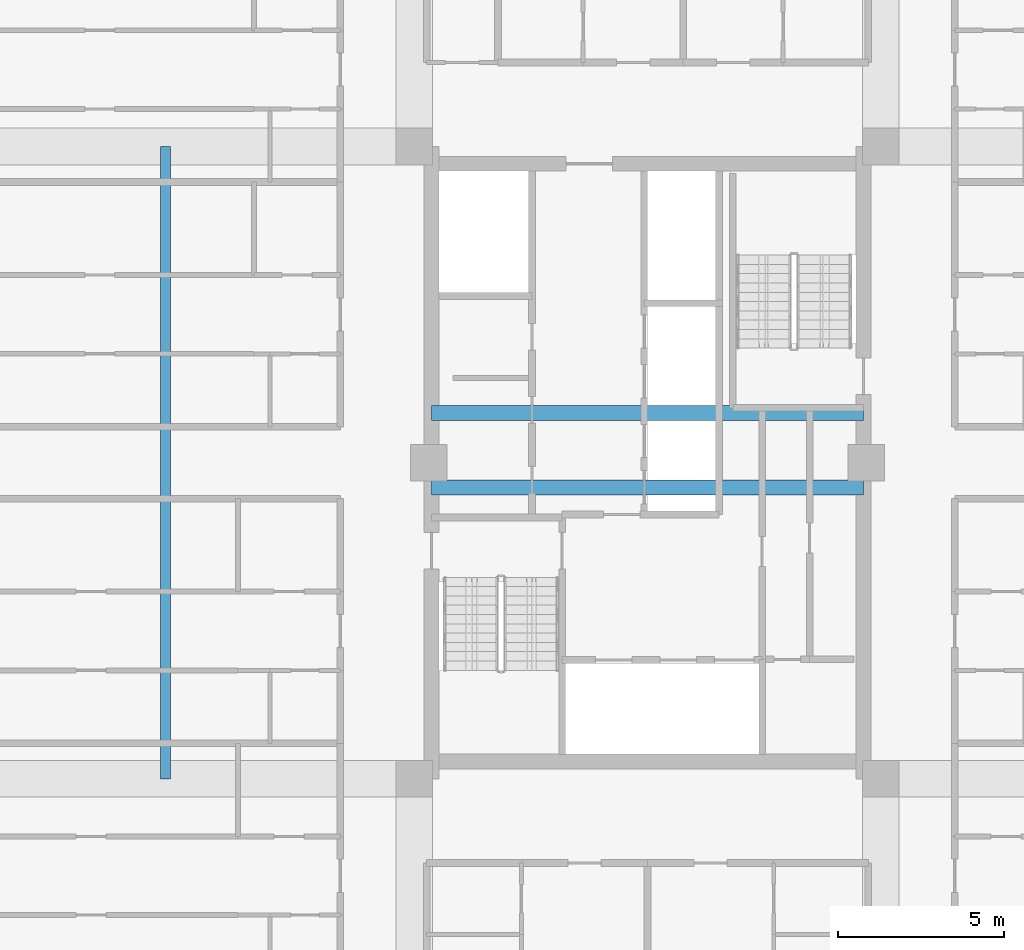
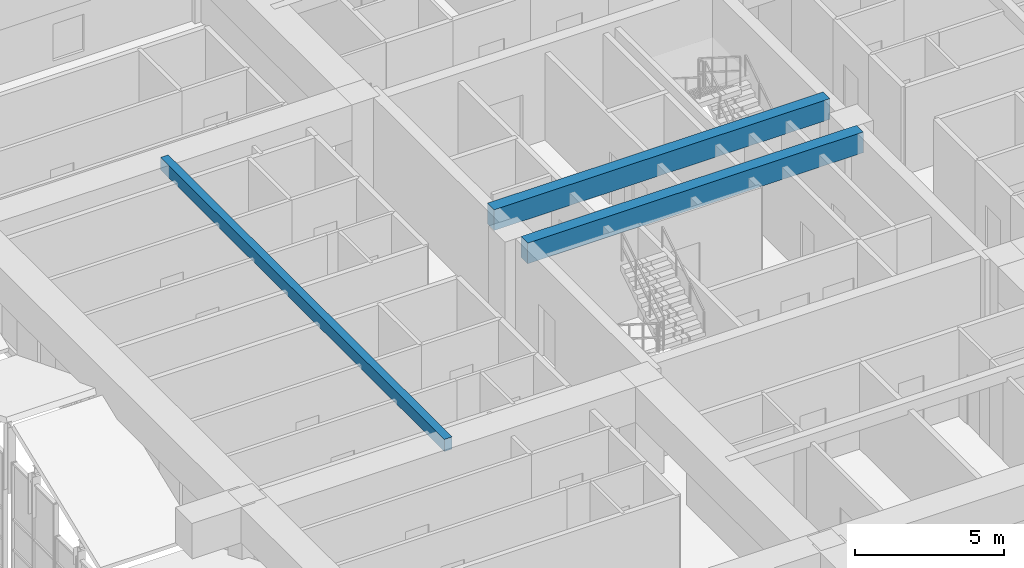
# One storey, part 11 of 45: 3 beams.
"""IFC4 building model written with IfcOpenShell, lengths in metres."""

from ifc_helpers import new_model, si_unit, direction, frame, origin, origin_2d, place, context, subcontext, project, spatial, rectangle, extrude, source, transform, mapped, material, material_profile, profile_set, type_object, element, save


model = new_model("IFC4")

# Units and contexts
model_context = context("Model", 3, precision=1e-05, world=origin(), true_north=direction((0.0, 1.0)))
body_context = subcontext(model_context, "Body", "Model", "MODEL_VIEW")
ifc_project = project(units=[si_unit("LENGTHUNIT", "METRE"), si_unit("AREAUNIT", "SQUARE_METRE"), si_unit("VOLUMEUNIT", "CUBIC_METRE"), si_unit("PLANEANGLEUNIT", "RADIAN"), si_unit("MASSUNIT", "GRAM", prefix="KILO")], contexts=[model_context])

# Site, building, storey
site_placement = place(None, origin())
site = spatial("IfcSite", under=ifc_project, at=site_placement, CompositionType="ELEMENT")
building_placement = place(site_placement, origin())
building = spatial("IfcBuilding", under=site, at=building_placement, Name="Saelheon Loggia Tower", CompositionType="ELEMENT")
storey_placement = place(building_placement, frame((0.0, 0.0, 152.199951171875)))
storey = spatial("IfcBuildingStorey", under=building, at=storey_placement, Name="L48", CompositionType="ELEMENT", Elevation=152.199951171875)

# Beams
ifc_material_1 = material(Name="Concrete C50/60", Category="concrete")
ifc_material_profile_1 = material_profile(ifc_material_1, rectangle(XDim=0.449951171875, YDim=0.85009765625, at=origin_2d()), Name="RC-450x850")
ifc_profile_set_1 = profile_set([ifc_material_profile_1], Name="Concrete C50/60")
beam_type_1 = type_object("IfcBeamType", Name="Beam_CoreLintel_RC450x850", PredefinedType="LINTEL", material=ifc_profile_set_1)
shared_shape_1 = source(origin(), body_context, "Body", "SweptSolid", [
    extrude(rectangle(XDim=0.449951171875, YDim=0.85009765625, at=origin_2d()), origin(), (0.0, 0.0, 1.0), 13.0),
])
for number, where, z_axis, x_axis, name in (
    (1, (31.5, 26.25, 3.47509765625), (1.0, 0.0, 0.0), (0.0, 1.0, 0.0), "L48 Core Coupling Lintel 1"),
    (2, (31.5, 28.5, 3.47509765625), (1.0, 0.0, 0.0), (0.0, 1.0, 0.0), "L48 Core Coupling Lintel 2"),
):
    element("IfcBeam", number, at=place(storey_placement, frame(where, z_axis=z_axis, x_axis=x_axis)), inside=storey, type_object=beam_type_1, Name=name, PredefinedType="LINTEL", context=body_context, shape_type="MappedRepresentation", body=[
        mapped(shared_shape_1, transform((0.0, 0.0, 0.0), scale=1.0)),
    ])
ifc_material_2 = material(Name="Concrete C40/50", Category="concrete")
ifc_material_profile_2 = material_profile(ifc_material_2, rectangle(XDim=0.300048828125, YDim=0.5, at=origin_2d()), Name="RC-300x500")
ifc_profile_set_2 = profile_set([ifc_material_profile_2], Name="Concrete C40/50")
beam_type_2 = type_object("IfcBeamType", Name="Beam_Joist_RC300x500", PredefinedType="JOIST", material=ifc_profile_set_2)
shared_shape_2 = source(origin(), body_context, "Body", "SweptSolid", [
    extrude(rectangle(XDim=0.300048828125, YDim=0.5, at=origin_2d()), origin(), (0.0, 0.0, 1.0), 19.0400390625),
])
beam_placement = place(storey_placement, frame((23.489990234375, 17.47998046875, 3.650146484375), z_axis=(0.0, 1.0, 0.0), x_axis=(-1.0, 0.0, 0.0)))
element("IfcBeam", 3, at=beam_placement, inside=storey, type_object=beam_type_2, Name="L48 West Floor Joist", PredefinedType="JOIST", context=body_context, shape_type="MappedRepresentation", body=[
    mapped(shared_shape_2, transform((0.0, 0.0, 0.0), scale=1.0)),
])

save(model, "model.ifc")
